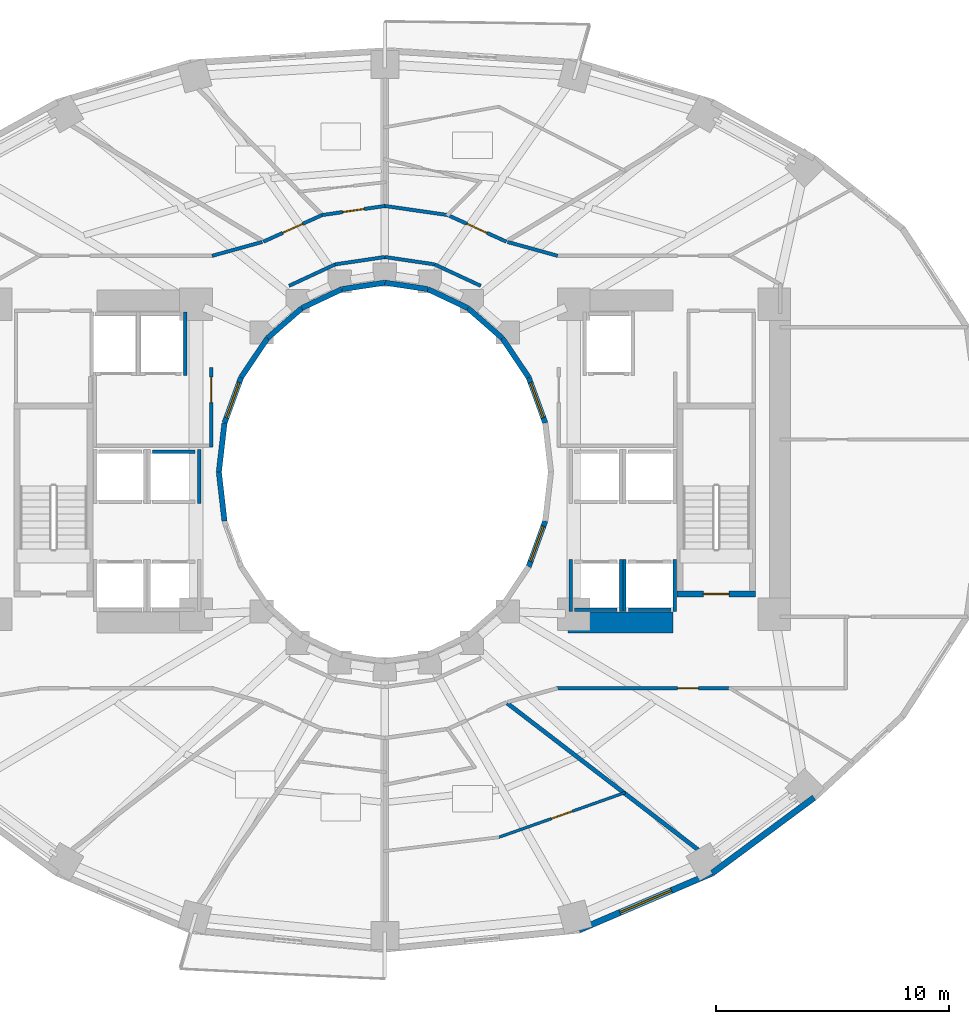
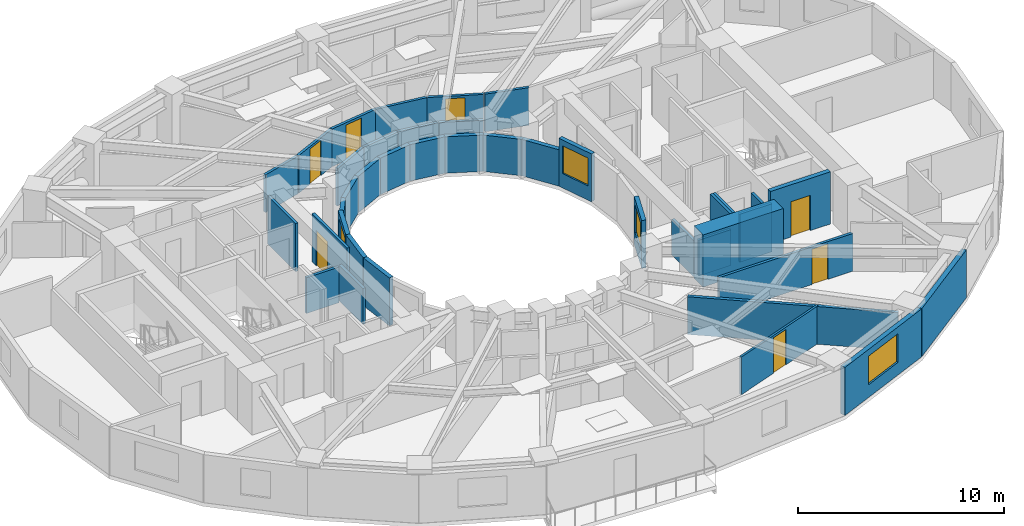
# One storey, part 5 of 10: 40 walls, 7 doors, 4 windows, 11 openings.
"""IFC4 building model written with IfcOpenShell, lengths in metres."""

from ifc_helpers import new_model, si_unit, direction, frame, frame_2d, origin, place, context, subcontext, project, spatial, rectangle, extrude, material, layer, layer_set, type_object, element, fill, save


model = new_model("IFC4")

# Units and contexts
model_context = context("Model", 3, precision=1e-05, world=origin(), true_north=direction((0.0, 1.0)))
body_context = subcontext(model_context, "Body", "Model", "MODEL_VIEW")
ifc_project = project(units=[si_unit("LENGTHUNIT", "METRE"), si_unit("AREAUNIT", "SQUARE_METRE"), si_unit("VOLUMEUNIT", "CUBIC_METRE"), si_unit("PLANEANGLEUNIT", "RADIAN"), si_unit("MASSUNIT", "GRAM", prefix="KILO")], contexts=[model_context])

# Site, building, storey
site_placement = place(None, origin())
site = spatial("IfcSite", under=ifc_project, at=site_placement, CompositionType="ELEMENT")
building_placement = place(site_placement, origin())
building = spatial("IfcBuilding", under=site, at=building_placement, Name="Solvane Sanctuary Tower", CompositionType="ELEMENT")
storey_placement = place(building_placement, frame((0.0, 0.0, 58.60009765625)))
storey = spatial("IfcBuildingStorey", under=building, at=storey_placement, Name="L17", CompositionType="ELEMENT", Elevation=58.60009765625)

# Wall
ifc_material_1 = material(Name="Concrete C70/85", Category="concrete")
ifc_layer_1 = layer(ifc_material_1, 0.89990234375, Name="Concrete C70/85")
ifc_layer_set_1 = layer_set([ifc_layer_1], Name="Concrete C70/85")
wall_type_1 = type_object("IfcWallType", Name="Wall W-CORE-900", PredefinedType="SHEAR", material=ifc_layer_set_1)
wall_1_placement = place(storey_placement, frame((39.85009765625, 16.550048828125, 0.0), z_axis=(0.0, 0.0, 1.0), x_axis=(1.0, 0.0, 0.0)))
element("IfcWall", 1, at=wall_1_placement, inside=storey, type_object=wall_type_1, Name="L17 Core Shear Wall EC-S", PredefinedType="SHEAR", context=body_context, shape_type="SweptSolid", body=[
    extrude(rectangle(XDim=4.5, YDim=0.89990234375, at=frame_2d((2.25, 0.0))), origin(), (0.0, 0.0, 1.0), 3.099853515625),
])

# Wall, opening, door
ifc_material_2 = material(Name="Acoustic Gypsum Partition Board")
ifc_layer_2 = layer(ifc_material_2, 0.14990234375, Name="Acoustic Gypsum Partition Board")
ifc_layer_set_2 = layer_set([ifc_layer_2], Name="Acoustic Gypsum Partition Board")
wall_type_2 = type_object("IfcWallType", Name="Wall W-CORR-150", PredefinedType="PARTITIONING", material=ifc_layer_set_2)
wall_2_placement = place(storey_placement, frame((24.550048828125, 24.080078125, 0.0), z_axis=(0.0, 0.0, 1.0), x_axis=(0.0, 1.0, 0.0)))
wall_2 = element("IfcWall", 2, at=wall_2_placement, inside=storey, type_object=wall_type_2, Name="L17 West Firefighting Lobby East Wall", PredefinedType="PARTITIONING", context=body_context, shape_type="SweptSolid", body=[
    extrude(rectangle(XDim=3.39990234375, YDim=0.14990234375, at=frame_2d((1.699951171875, 0.0))), origin(), (0.0, 0.0, 1.0), 2.85498046875),
])
opening_1_placement = place(wall_2_placement, frame((1.893798828125, 0.0, 0.0)))
opening_1 = element("IfcOpeningElement", 3, at=opening_1_placement, cuts=wall_2, Name="Opening D-L17-06", PredefinedType="OPENING", context=body_context, shape_type="SweptSolid", body=[
    extrude(rectangle(XDim=1.10009765625, YDim=2.10009765625, at=frame_2d((0.550048828125, 1.050048828125))), frame((0.0, 0.0849609375, 0.0), z_axis=(0.0, -1.0, 0.0), x_axis=(1.0, 0.0, 0.0)), (0.0, 0.0, 1.0), 0.169921875),
])
ifc_material_3 = material(Name="Architectural Stainless Steel 316", Category="steel")
door_type_1 = type_object("IfcDoorType", Name="Door D-FFL", OperationType="NOTDEFINED", PredefinedType="DOOR", material=ifc_material_3)
door_1_placement = place(opening_1_placement, origin())
door_1 = element("IfcDoor", 4, at=door_1_placement, inside=storey, type_object=door_type_1, Name="L17 West Firefighting Lobby Fire Door", OperationType="SINGLE_SWING_LEFT", OverallHeight=2.10009765625, OverallWidth=1.10009765625, PredefinedType="DOOR", context=body_context, shape_type="SweptSolid", body=[
    extrude(rectangle(XDim=1.10009765625, YDim=2.10009765625, at=frame_2d((0.550048828125, 1.050048828125))), frame((0.0, 0.02490234375, 0.0), z_axis=(0.0, -1.0, 0.0), x_axis=(1.0, 0.0, 0.0)), (0.0, 0.0, 1.0), 0.050048828125),
])
fill(opening_1, door_1)

# Walls
wall_3_placement = place(storey_placement, frame((36.110107421875, 30.98486328125, 0.0), z_axis=(0.0, 0.0, 1.0), x_axis=(-0.906943449489, 0.421252393975, 0.0)))
element("IfcWall", 5, at=wall_3_placement, inside=storey, type_object=wall_type_2, Name="L17 Light-Well Corridor Rim Wall N1", PredefinedType="PARTITIONING", context=body_context, shape_type="SweptSolid", body=[
    extrude(rectangle(XDim=2.18603515625, YDim=0.14990234375, at=frame_2d((1.093017578125, 0.0))), origin(), (0.0, 0.0, 1.0), 2.23681640625),
])
for number, where, z_axis, x_axis, name in (
    (6, (34.12744140625, 31.90576171875, 0.0), (0.0, 0.0, 1.0), (-0.989268584896, 0.146108408166, 0.0), "L17 Light-Well Corridor Rim Wall N2"),
    (7, (32.0, 32.219970703125, 0.0), (0.0, 0.0, 1.0), (-0.989268584896, -0.146108408166, 0.0), "L17 Light-Well Corridor Rim Wall N3"),
):
    element("IfcWall", number, at=place(storey_placement, frame(where, z_axis=z_axis, x_axis=x_axis)), inside=storey, type_object=wall_type_2, Name=name, PredefinedType="PARTITIONING", context=body_context, shape_type="SweptSolid", body=[
        extrude(rectangle(XDim=2.150634765625, YDim=0.14990234375, at=frame_2d((1.0751953125, 0.0))), origin(), (0.0, 0.0, 1.0), 2.23681640625),
    ])
wall_4_placement = place(storey_placement, frame((29.87255859375, 31.90576171875, 0.0), z_axis=(0.0, 0.0, 1.0), x_axis=(-0.906943449489, -0.421252393975, 0.0)))
element("IfcWall", 8, at=wall_4_placement, inside=storey, type_object=wall_type_2, Name="L17 Light-Well Corridor Rim Wall N4", PredefinedType="PARTITIONING", context=body_context, shape_type="SweptSolid", body=[
    extrude(rectangle(XDim=2.18603515625, YDim=0.14990234375, at=frame_2d((1.093017578125, 0.0))), origin(), (0.0, 0.0, 1.0), 2.23681640625),
])
for number, where, z_axis, x_axis, name in (
    (9, (37.258056640625, 32.86669921875, 0.0), (0.0, 0.0, 1.0), (0.963833843713, -0.266503886865, 0.0), "L17 NE Corner Throat Wall"),
    (10, (26.741943359375, 32.86669921875, 0.0), (0.0, 0.0, 1.0), (-0.963833843713, -0.266503886865, 0.0), "L17 NW Corner Throat Wall"),
):
    element("IfcWall", number, at=place(storey_placement, frame(where, z_axis=z_axis, x_axis=x_axis)), inside=storey, type_object=wall_type_2, Name=name, PredefinedType="PARTITIONING", context=body_context, shape_type="SweptSolid", body=[
        extrude(rectangle(XDim=2.231689453125, YDim=0.14990234375, at=frame_2d((1.11572265625, 0.0))), origin(), (0.0, 0.0, 1.0), 2.23681640625),
    ])

# Wall, opening, door
wall_5_placement = place(storey_placement, frame((39.330078125, 13.719970703125, 0.0), z_axis=(0.0, 0.0, 1.0), x_axis=(1.0, 0.0, 0.0)))
wall_5 = element("IfcWall", 11, at=wall_5_placement, inside=storey, type_object=wall_type_2, Name="L17 SE Corner Corridor Wall", PredefinedType="PARTITIONING", context=body_context, shape_type="SweptSolid", body=[
    extrude(rectangle(XDim=7.52001953125, YDim=0.14990234375, at=frame_2d((3.760009765625, 0.0))), origin(), (0.0, 0.0, 1.0), 2.23681640625),
])
opening_2_placement = place(wall_5_placement, frame((5.219970703125, 0.0, 0.0)))
opening_2 = element("IfcOpeningElement", 12, at=opening_2_placement, cuts=wall_5, Name="Opening D-L17-19", PredefinedType="OPENING", context=body_context, shape_type="SweptSolid", body=[
    extrude(rectangle(XDim=0.89990234375, YDim=2.10009765625, at=frame_2d((0.449951171875, 1.050048828125))), frame((0.0, 0.0849609375, 0.0), z_axis=(0.0, -1.0, 0.0), x_axis=(1.0, 0.0, 0.0)), (0.0, 0.0, 1.0), 0.169921875),
])
ifc_material_4 = material(Name="Engineered Tropical Hardwood", Category="wood")
door_type_2 = type_object("IfcDoorType", Name="Door D-WET-900", OperationType="NOTDEFINED", PredefinedType="DOOR", material=ifc_material_4)
door_2_placement = place(opening_2_placement, origin())
door_2 = element("IfcDoor", 13, at=door_2_placement, inside=storey, type_object=door_type_2, Name="L17 SE Corner Salon Door", OperationType="SINGLE_SWING_RIGHT", OverallHeight=2.10009765625, OverallWidth=0.89990234375, PredefinedType="DOOR", context=body_context, shape_type="SweptSolid", body=[
    extrude(rectangle(XDim=0.89990234375, YDim=2.10009765625, at=frame_2d((0.449951171875, 1.050048828125))), frame((0.0, 0.02490234375, 0.0), z_axis=(0.0, -1.0, 0.0), x_axis=(1.0, 0.0, 0.0)), (0.0, 0.0, 1.0), 0.050048828125),
])
fill(opening_2, door_2)

# Wall
wall_6_placement = place(storey_placement, frame((34.743896484375, 34.01416015625, 0.0), z_axis=(0.0, 0.0, 1.0), x_axis=(-0.989761784218, 0.142729150844, 0.0)))
element("IfcWall", 14, at=wall_6_placement, inside=storey, type_object=wall_type_2, Name="L17 En-suite Inner Wall N1", PredefinedType="PARTITIONING", context=body_context, shape_type="SweptSolid", body=[
    extrude(rectangle(XDim=2.822265625, YDim=0.14990234375, at=frame_2d((1.4111328125, 0.0))), origin(), (0.0, 0.0, 1.0), 2.23681640625),
])

# Wall, opening, door
wall_7_placement = place(storey_placement, frame((37.211181640625, 32.87744140625, 0.0), z_axis=(0.0, 0.0, 1.0), x_axis=(-0.910568469686, 0.41335827319, 0.0)))
wall_7 = element("IfcWall", 15, at=wall_7_placement, inside=storey, type_object=wall_type_2, Name="L17 Unit Corridor Wall N1", PredefinedType="PARTITIONING", context=body_context, shape_type="SweptSolid", body=[
    extrude(rectangle(XDim=2.771728515625, YDim=0.14990234375, at=frame_2d((1.3857421875, 0.0))), origin(), (0.0, 0.0, 1.0), 2.23681640625),
])
opening_3_placement = place(wall_7_placement, frame((0.910888671875, 0.0, 0.0)))
opening_3 = element("IfcOpeningElement", 16, at=opening_3_placement, cuts=wall_7, Name="Opening D-L17-22", PredefinedType="OPENING", context=body_context, shape_type="SweptSolid", body=[
    extrude(rectangle(XDim=0.949951171875, YDim=2.10009765625, at=frame_2d((0.47509765625, 1.050048828125))), frame((0.0, 0.0849609375, 0.0), z_axis=(0.0, -1.0, 0.0), x_axis=(1.0, 0.0, 0.0)), (0.0, 0.0, 1.0), 0.169921875),
])
door_type_3 = type_object("IfcDoorType", Name="Door D-ROOM-950", OperationType="NOTDEFINED", PredefinedType="DOOR", material=ifc_material_4)
door_3_placement = place(opening_3_placement, origin())
door_3 = element("IfcDoor", 17, at=door_3_placement, inside=storey, type_object=door_type_3, Name="L17 Unit Entrance Door N1", OperationType="SINGLE_SWING_LEFT", OverallHeight=2.10009765625, OverallWidth=0.949951171875, PredefinedType="DOOR", context=body_context, shape_type="SweptSolid", body=[
    extrude(rectangle(XDim=0.949951171875, YDim=2.10009765625, at=frame_2d((0.47509765625, 1.050048828125))), frame((0.0, 0.02490234375, 0.0), z_axis=(0.0, -1.0, 0.0), x_axis=(1.0, 0.0, 0.0)), (0.0, 0.0, 1.0), 0.050048828125),
])
fill(opening_3, door_3)

wall_8_placement = place(storey_placement, frame((32.00732421875, 34.409912109375, 0.0), z_axis=(0.0, 0.0, 1.0), x_axis=(-0.989748682384, -0.142819976611, 0.0)))
wall_8 = element("IfcWall", 18, at=wall_8_placement, inside=storey, type_object=wall_type_2, Name="L17 Unit Corridor Wall N2", PredefinedType="PARTITIONING", context=body_context, shape_type="SweptSolid", body=[
    extrude(rectangle(XDim=2.73681640625, YDim=0.14990234375, at=frame_2d((1.368408203125, 0.0))), origin(), (0.0, 0.0, 1.0), 2.23681640625),
])
opening_4_placement = place(wall_8_placement, frame((0.893310546875, 0.0, 0.0)))
opening_4 = element("IfcOpeningElement", 19, at=opening_4_placement, cuts=wall_8, Name="Opening D-L17-24", PredefinedType="OPENING", context=body_context, shape_type="SweptSolid", body=[
    extrude(rectangle(XDim=0.949951171875, YDim=2.10009765625, at=frame_2d((0.47509765625, 1.050048828125))), frame((0.0, 0.0849609375, 0.0), z_axis=(0.0, -1.0, 0.0), x_axis=(1.0, 0.0, 0.0)), (0.0, 0.0, 1.0), 0.169921875),
])
door_4_placement = place(opening_4_placement, origin())
door_4 = element("IfcDoor", 20, at=door_4_placement, inside=storey, type_object=door_type_3, Name="L17 Unit Entrance Door N2", OperationType="SINGLE_SWING_LEFT", OverallHeight=2.10009765625, OverallWidth=0.949951171875, PredefinedType="DOOR", context=body_context, shape_type="SweptSolid", body=[
    extrude(rectangle(XDim=0.949951171875, YDim=2.10009765625, at=frame_2d((0.47509765625, 1.050048828125))), frame((0.0, 0.02490234375, 0.0), z_axis=(0.0, -1.0, 0.0), x_axis=(1.0, 0.0, 0.0)), (0.0, 0.0, 1.0), 0.050048828125),
])
fill(opening_4, door_4)

wall_9_placement = place(storey_placement, frame((29.312744140625, 34.023193359375, 0.0), z_axis=(0.0, 0.0, 1.0), x_axis=(-0.910568469686, -0.41335827319, 0.0)))
wall_9 = element("IfcWall", 21, at=wall_9_placement, inside=storey, type_object=wall_type_2, Name="L17 Unit Corridor Wall N3", PredefinedType="PARTITIONING", context=body_context, shape_type="SweptSolid", body=[
    extrude(rectangle(XDim=2.771728515625, YDim=0.14990234375, at=frame_2d((1.3857421875, 0.0))), origin(), (0.0, 0.0, 1.0), 2.23681640625),
])
opening_5_placement = place(wall_9_placement, frame((0.910888671875, 0.0, 0.0)))
opening_5 = element("IfcOpeningElement", 22, at=opening_5_placement, cuts=wall_9, Name="Opening D-L17-25", PredefinedType="OPENING", context=body_context, shape_type="SweptSolid", body=[
    extrude(rectangle(XDim=0.949951171875, YDim=2.10009765625, at=frame_2d((0.47509765625, 1.050048828125))), frame((0.0, 0.0849609375, 0.0), z_axis=(0.0, -1.0, 0.0), x_axis=(1.0, 0.0, 0.0)), (0.0, 0.0, 1.0), 0.169921875),
])
door_5_placement = place(opening_5_placement, origin())
door_5 = element("IfcDoor", 23, at=door_5_placement, inside=storey, type_object=door_type_3, Name="L17 Unit Entrance Door N3", OperationType="SINGLE_SWING_RIGHT", OverallHeight=2.10009765625, OverallWidth=0.949951171875, PredefinedType="DOOR", context=body_context, shape_type="SweptSolid", body=[
    extrude(rectangle(XDim=0.949951171875, YDim=2.10009765625, at=frame_2d((0.47509765625, 1.050048828125))), frame((0.0, 0.02490234375, 0.0), z_axis=(0.0, -1.0, 0.0), x_axis=(1.0, 0.0, 0.0)), (0.0, 0.0, 1.0), 0.050048828125),
])
fill(opening_5, door_5)

# Wall, opening, window
ifc_material_5 = material(Name="Precast concrete C40/50", Category="concrete")
ifc_layer_3 = layer(ifc_material_5, 0.260009765625, Name="Precast concrete C40/50")
ifc_layer_set_3 = layer_set([ifc_layer_3], Name="Precast concrete C40/50")
wall_type_3 = type_object("IfcWallType", Name="Wall W-EXT-250", PredefinedType="STANDARD", material=ifc_layer_set_3)
wall_10_placement = place(storey_placement, frame((40.331787109375, 3.36376953125, 0.0), z_axis=(0.0, 0.0, 1.0), x_axis=(0.919612132394, 0.39282760335, 0.0)))
wall_10 = element("IfcWall", 24, at=wall_10_placement, inside=storey, type_object=wall_type_3, Name="L17 Ceramic-Printed Facade Wall 19", PredefinedType="STANDARD", context=body_context, shape_type="SweptSolid", body=[
    extrude(rectangle(XDim=6.20947265625, YDim=0.260009765625, at=frame_2d((3.104736328125, 0.0))), origin(), (0.0, 0.0, 1.0), 2.849853515625),
])
opening_6_placement = place(wall_10_placement, frame((1.90478515625, 0.0, 0.75)))
opening_6 = element("IfcOpeningElement", 25, at=opening_6_placement, cuts=wall_10, Name="Opening WN-RIB-2400", PredefinedType="OPENING", context=body_context, shape_type="SweptSolid", body=[
    extrude(rectangle(XDim=2.39990234375, YDim=1.699951171875, at=frame_2d((1.199951171875, 0.85009765625))), frame((0.0, 0.139892578125, 0.0), z_axis=(0.0, -1.0, 0.0), x_axis=(1.0, 0.0, 0.0)), (0.0, 0.0, 1.0), 0.280029296875),
])
ifc_material_6 = material(Name="Dark Ceramic-Fritted Low-E Glass", Category="glass")
window_type_1 = type_object("IfcWindowType", Name="Window WN-RIB-2400", PartitioningType="SINGLE_PANEL", PredefinedType="WINDOW", material=ifc_material_6)
window_1_placement = place(opening_6_placement, origin())
window_1 = element("IfcWindow", 26, at=window_1_placement, inside=storey, type_object=window_type_1, Name="L17 Operable Facade Window 19", OverallHeight=1.699951171875, OverallWidth=2.39990234375, PartitioningType="SINGLE_PANEL", PredefinedType="WINDOW", context=body_context, shape_type="SweptSolid", body=[
    extrude(rectangle(XDim=2.39990234375, YDim=1.699951171875, at=frame_2d((1.199951171875, 0.85009765625))), frame((0.0, 0.030029296875, 0.0), z_axis=(0.0, -1.0, 0.0), x_axis=(1.0, 0.0, 0.0)), (0.0, 0.0, 1.0), 0.06005859375),
])
fill(opening_6, window_1)

# Wall
wall_11_placement = place(storey_placement, frame((46.0419921875, 5.802978515625, 0.0), z_axis=(0.0, 0.0, 1.0), x_axis=(0.803477531792, 0.595335078679, 0.0)))
element("IfcWall", 27, at=wall_11_placement, inside=storey, type_object=wall_type_3, Name="L17 Ceramic-Printed Facade Wall 20", PredefinedType="STANDARD", context=body_context, shape_type="SweptSolid", body=[
    extrude(rectangle(XDim=5.4296875, YDim=0.260009765625, at=frame_2d((2.71484375, 0.0))), origin(), (0.0, 0.0, 1.0), 2.849853515625),
])

# Wall, opening, window
ifc_layer_4 = layer(ifc_material_5, 0.22998046875, Name="Precast concrete C40/50")
ifc_layer_set_4 = layer_set([ifc_layer_4], Name="Precast concrete C40/50")
wall_type_4 = type_object("IfcWallType", Name="Wall W-EXT-SP220", PredefinedType="STANDARD", material=ifc_layer_set_4)
wall_12_placement = place(storey_placement, frame((38.87744140625, 25.1015625, 0.0), z_axis=(0.0, 0.0, 1.0), x_axis=(-0.341423187295, 0.93990968033, 0.0)))
wall_12 = element("IfcWall", 28, at=wall_12_placement, inside=storey, type_object=wall_type_4, Name="L17 Central Light-Well Wall 01", PredefinedType="STANDARD", context=body_context, shape_type="SweptSolid", body=[
    extrude(rectangle(XDim=2.083740234375, YDim=0.22998046875, at=frame_2d((1.0419921875, 0.0))), origin(), (0.0, 0.0, 1.0), 2.83984375),
])
opening_7_placement = place(wall_12_placement, frame((0.24169921875, 0.0, 0.85009765625)))
opening_7 = element("IfcOpeningElement", 29, at=opening_7_placement, cuts=wall_12, Name="Opening WN-WELL-1600", PredefinedType="OPENING", context=body_context, shape_type="SweptSolid", body=[
    extrude(rectangle(XDim=1.60009765625, YDim=1.64990234375, at=frame_2d((0.800048828125, 0.824951171875))), frame((0.0, 0.125, 0.0), z_axis=(0.0, -1.0, 0.0), x_axis=(1.0, 0.0, 0.0)), (0.0, 0.0, 1.0), 0.25),
])
ifc_material_7 = material(Name="Clear Laminated Light-Well Glass", Category="glass")
window_type_2 = type_object("IfcWindowType", Name="Window WN-WELL-1600", PartitioningType="SINGLE_PANEL", PredefinedType="WINDOW", material=ifc_material_7)
window_2_placement = place(opening_7_placement, origin())
window_2 = element("IfcWindow", 30, at=window_2_placement, inside=storey, type_object=window_type_2, Name="L17 Light-Well Daylight Window 01", OverallHeight=1.64990234375, OverallWidth=1.60009765625, PartitioningType="SINGLE_PANEL", PredefinedType="WINDOW", context=body_context, shape_type="SweptSolid", body=[
    extrude(rectangle(XDim=1.60009765625, YDim=1.64990234375, at=frame_2d((0.800048828125, 0.824951171875))), frame((0.0, 0.030029296875, 0.0), z_axis=(0.0, -1.0, 0.0), x_axis=(1.0, 0.0, 0.0)), (0.0, 0.0, 1.0), 0.06005859375),
])
fill(opening_7, window_2)

# Walls
wall_13_placement = place(storey_placement, frame((38.166015625, 27.06005859375, 0.0), z_axis=(0.0, 0.0, 1.0), x_axis=(-0.558197800898, 0.829707909492, 0.0)))
element("IfcWall", 31, at=wall_13_placement, inside=storey, type_object=wall_type_4, Name="L17 Central Light-Well Wall 02", PredefinedType="STANDARD", context=body_context, shape_type="SweptSolid", body=[
    extrude(rectangle(XDim=2.02685546875, YDim=0.22998046875, at=frame_2d((1.013427734375, 0.0))), origin(), (0.0, 0.0, 1.0), 2.159912109375),
])
wall_14_placement = place(storey_placement, frame((37.03466796875, 28.74169921875, 0.0), z_axis=(0.0, 0.0, 1.0), x_axis=(-0.752576694707, 0.658504607869, 0.0)))
element("IfcWall", 32, at=wall_14_placement, inside=storey, type_object=wall_type_4, Name="L17 Central Light-Well Wall 03", PredefinedType="STANDARD", context=body_context, shape_type="SweptSolid", body=[
    extrude(rectangle(XDim=1.95947265625, YDim=0.22998046875, at=frame_2d((0.979736328125, 0.0))), origin(), (0.0, 0.0, 1.0), 2.159912109375),
])
wall_15_placement = place(storey_placement, frame((35.56005859375, 30.031982421875, 0.0), z_axis=(0.0, 0.0, 1.0), x_axis=(-0.904179699603, 0.427152280606, 0.0)))
element("IfcWall", 33, at=wall_15_placement, inside=storey, type_object=wall_type_4, Name="L17 Central Light-Well Wall 04", PredefinedType="STANDARD", context=body_context, shape_type="SweptSolid", body=[
    extrude(rectangle(XDim=1.899169921875, YDim=0.22998046875, at=frame_2d((0.94970703125, 0.0))), origin(), (0.0, 0.0, 1.0), 2.159912109375),
])
for number, where, z_axis, x_axis, name in (
    (34, (33.8427734375, 30.84326171875, 0.0), (0.0, 0.0, 1.0), (-0.988901730308, 0.148571086668, 0.0), "L17 Central Light-Well Wall 05"),
    (35, (32.0, 31.1201171875, 0.0), (0.0, 0.0, 1.0), (-0.988901730308, -0.148571086668, 0.0), "L17 Central Light-Well Wall 06"),
):
    element("IfcWall", number, at=place(storey_placement, frame(where, z_axis=z_axis, x_axis=x_axis)), inside=storey, type_object=wall_type_4, Name=name, PredefinedType="STANDARD", context=body_context, shape_type="SweptSolid", body=[
        extrude(rectangle(XDim=1.863525390625, YDim=0.22998046875, at=frame_2d((0.931640625, 0.0))), origin(), (0.0, 0.0, 1.0), 2.159912109375),
    ])
wall_16_placement = place(storey_placement, frame((30.1572265625, 30.84326171875, 0.0), z_axis=(0.0, 0.0, 1.0), x_axis=(-0.904179699603, -0.427152280606, 0.0)))
element("IfcWall", 36, at=wall_16_placement, inside=storey, type_object=wall_type_4, Name="L17 Central Light-Well Wall 07", PredefinedType="STANDARD", context=body_context, shape_type="SweptSolid", body=[
    extrude(rectangle(XDim=1.899169921875, YDim=0.22998046875, at=frame_2d((0.94970703125, 0.0))), origin(), (0.0, 0.0, 1.0), 2.159912109375),
])
wall_17_placement = place(storey_placement, frame((28.43994140625, 30.031982421875, 0.0), z_axis=(0.0, 0.0, 1.0), x_axis=(-0.752576694707, -0.658504607869, 0.0)))
element("IfcWall", 37, at=wall_17_placement, inside=storey, type_object=wall_type_4, Name="L17 Central Light-Well Wall 08", PredefinedType="STANDARD", context=body_context, shape_type="SweptSolid", body=[
    extrude(rectangle(XDim=1.95947265625, YDim=0.22998046875, at=frame_2d((0.979736328125, 0.0))), origin(), (0.0, 0.0, 1.0), 2.159912109375),
])
wall_18_placement = place(storey_placement, frame((26.96533203125, 28.74169921875, 0.0), z_axis=(0.0, 0.0, 1.0), x_axis=(-0.558197800898, -0.829707909492, 0.0)))
element("IfcWall", 38, at=wall_18_placement, inside=storey, type_object=wall_type_4, Name="L17 Central Light-Well Wall 09", PredefinedType="STANDARD", context=body_context, shape_type="SweptSolid", body=[
    extrude(rectangle(XDim=2.02685546875, YDim=0.22998046875, at=frame_2d((1.013427734375, 0.0))), origin(), (0.0, 0.0, 1.0), 2.159912109375),
])

# Wall, opening, window
wall_19_placement = place(storey_placement, frame((25.833984375, 27.06005859375, 0.0), z_axis=(0.0, 0.0, 1.0), x_axis=(-0.341423187295, -0.93990968033, 0.0)))
wall_19 = element("IfcWall", 39, at=wall_19_placement, inside=storey, type_object=wall_type_4, Name="L17 Central Light-Well Wall 10", PredefinedType="STANDARD", context=body_context, shape_type="SweptSolid", body=[
    extrude(rectangle(XDim=2.083740234375, YDim=0.22998046875, at=frame_2d((1.0419921875, 0.0))), origin(), (0.0, 0.0, 1.0), 2.83984375),
])
opening_8_placement = place(wall_19_placement, frame((0.24169921875, 0.0, 0.85009765625)))
opening_8 = element("IfcOpeningElement", 40, at=opening_8_placement, cuts=wall_19, Name="Opening WN-WELL-1600", PredefinedType="OPENING", context=body_context, shape_type="SweptSolid", body=[
    extrude(rectangle(XDim=1.60009765625, YDim=1.64990234375, at=frame_2d((0.800048828125, 0.824951171875))), frame((0.0, 0.125, 0.0), z_axis=(0.0, -1.0, 0.0), x_axis=(1.0, 0.0, 0.0)), (0.0, 0.0, 1.0), 0.25),
])
window_3_placement = place(opening_8_placement, origin())
window_3 = element("IfcWindow", 41, at=window_3_placement, inside=storey, type_object=window_type_2, Name="L17 Light-Well Daylight Window 10", OverallHeight=1.64990234375, OverallWidth=1.60009765625, PartitioningType="SINGLE_PANEL", PredefinedType="WINDOW", context=body_context, shape_type="SweptSolid", body=[
    extrude(rectangle(XDim=1.60009765625, YDim=1.64990234375, at=frame_2d((0.800048828125, 0.824951171875))), frame((0.0, 0.030029296875, 0.0), z_axis=(0.0, -1.0, 0.0), x_axis=(1.0, 0.0, 0.0)), (0.0, 0.0, 1.0), 0.06005859375),
])
fill(opening_8, window_3)

# Walls
for number, where, z_axis, x_axis, name in (
    (42, (25.12255859375, 25.1015625, 0.0), (0.0, 0.0, 1.0), (-0.114711713601, -0.993398823617, 0.0), "L17 Central Light-Well Wall 11"),
    (43, (24.8798828125, 23.0, 0.0), (0.0, 0.0, 1.0), (0.114711713601, -0.993398823617, 0.0), "L17 Central Light-Well Wall 12"),
):
    element("IfcWall", number, at=place(storey_placement, frame(where, z_axis=z_axis, x_axis=x_axis)), inside=storey, type_object=wall_type_4, Name=name, PredefinedType="STANDARD", context=body_context, shape_type="SweptSolid", body=[
        extrude(rectangle(XDim=2.115478515625, YDim=0.22998046875, at=frame_2d((1.0576171875, 0.0))), origin(), (0.0, 0.0, 1.0), 2.83984375),
    ])

# Wall, opening, window
wall_20_placement = place(storey_placement, frame((38.166015625, 18.93994140625, 0.0), z_axis=(0.0, 0.0, 1.0), x_axis=(0.341423187295, 0.93990968033, 0.0)))
wall_20 = element("IfcWall", 44, at=wall_20_placement, inside=storey, type_object=wall_type_4, Name="L17 Central Light-Well Wall 22", PredefinedType="STANDARD", context=body_context, shape_type="SweptSolid", body=[
    extrude(rectangle(XDim=2.083740234375, YDim=0.22998046875, at=frame_2d((1.0419921875, 0.0))), origin(), (0.0, 0.0, 1.0), 2.83984375),
])
opening_9_placement = place(wall_20_placement, frame((0.24169921875, 0.0, 0.85009765625)))
opening_9 = element("IfcOpeningElement", 45, at=opening_9_placement, cuts=wall_20, Name="Opening WN-WELL-1600", PredefinedType="OPENING", context=body_context, shape_type="SweptSolid", body=[
    extrude(rectangle(XDim=1.60009765625, YDim=1.64990234375, at=frame_2d((0.800048828125, 0.824951171875))), frame((0.0, 0.125, 0.0), z_axis=(0.0, -1.0, 0.0), x_axis=(1.0, 0.0, 0.0)), (0.0, 0.0, 1.0), 0.25),
])
window_4_placement = place(opening_9_placement, origin())
window_4 = element("IfcWindow", 46, at=window_4_placement, inside=storey, type_object=window_type_2, Name="L17 Light-Well Daylight Window 22", OverallHeight=1.64990234375, OverallWidth=1.60009765625, PartitioningType="SINGLE_PANEL", PredefinedType="WINDOW", context=body_context, shape_type="SweptSolid", body=[
    extrude(rectangle(XDim=1.60009765625, YDim=1.64990234375, at=frame_2d((0.800048828125, 0.824951171875))), frame((0.0, 0.030029296875, 0.0), z_axis=(0.0, -1.0, 0.0), x_axis=(1.0, 0.0, 0.0)), (0.0, 0.0, 1.0), 0.06005859375),
])
fill(opening_9, window_4)

# Wall, opening, door
ifc_layer_5 = layer(ifc_material_2, 0.1201171875, Name="Acoustic Gypsum Partition Board")
ifc_layer_set_5 = layer_set([ifc_layer_5], Name="Acoustic Gypsum Partition Board")
wall_type_5 = type_object("IfcWallType", Name="Wall W-MOV-100", PredefinedType="MOVABLE", material=ifc_layer_set_5)
wall_21_placement = place(storey_placement, frame((36.87353515625, 7.331298828125, 0.0), z_axis=(0.0, 0.0, 1.0), x_axis=(0.942698294357, 0.333646408368, 0.0)))
wall_21 = element("IfcWall", 47, at=wall_21_placement, inside=storey, type_object=wall_type_5, Name="L17 Suite Sitting Lounge Partition S3", PredefinedType="MOVABLE", context=body_context, shape_type="SweptSolid", body=[
    extrude(rectangle(XDim=5.763916015625, YDim=0.1201171875, at=frame_2d((2.8818359375, 0.0))), origin(), (0.0, 0.0, 1.0), 2.23681640625),
])
opening_10_placement = place(wall_21_placement, frame((2.406982421875, 0.0, 0.0)))
opening_10 = element("IfcOpeningElement", 48, at=opening_10_placement, cuts=wall_21, Name="Opening D-L17-29", PredefinedType="OPENING", context=body_context, shape_type="SweptSolid", body=[
    extrude(rectangle(XDim=0.949951171875, YDim=2.10009765625, at=frame_2d((0.47509765625, 1.050048828125))), frame((0.0, 0.070068359375, 0.0), z_axis=(0.0, -1.0, 0.0), x_axis=(1.0, 0.0, 0.0)), (0.0, 0.0, 1.0), 0.14013671875),
])
door_6_placement = place(opening_10_placement, origin())
door_6 = element("IfcDoor", 49, at=door_6_placement, inside=storey, type_object=door_type_3, Name="L17 Suite Sitting Lounge Door S3", OperationType="SINGLE_SWING_RIGHT", OverallHeight=2.10009765625, OverallWidth=0.949951171875, PredefinedType="DOOR", context=body_context, shape_type="SweptSolid", body=[
    extrude(rectangle(XDim=0.949951171875, YDim=2.10009765625, at=frame_2d((0.47509765625, 1.050048828125))), frame((0.0, 0.02490234375, 0.0), z_axis=(0.0, -1.0, 0.0), x_axis=(1.0, 0.0, 0.0)), (0.0, 0.0, 1.0), 0.050048828125),
])
fill(opening_10, door_6)

# Walls
ifc_material_8 = material(Name="Concrete C50/60", Category="concrete")
ifc_layer_6 = layer(ifc_material_8, 0.14990234375, Name="Concrete C50/60")
ifc_layer_set_6 = layer_set([ifc_layer_6], Name="Concrete C50/60")
wall_type_6 = type_object("IfcWallType", Name="Wall W-SHAFT-150", PredefinedType="SOLIDWALL", material=ifc_layer_set_6)
wall_22_placement = place(storey_placement, frame((40.139892578125, 17.10009765625, 0.0), z_axis=(0.0, 0.0, 1.0), x_axis=(1.0, 0.0, 0.0)))
element("IfcWall", 50, at=wall_22_placement, inside=storey, type_object=wall_type_6, Name="L17 PL-3 Lift Shaft Wall B", PredefinedType="SOLIDWALL", context=body_context, shape_type="SweptSolid", body=[
    extrude(rectangle(XDim=1.820068359375, YDim=0.14990234375, at=frame_2d((0.91015625, 0.0))), origin(), (0.0, 0.0, 1.0), 2.119873046875),
])
wall_23_placement = place(storey_placement, frame((39.969970703125, 17.02001953125, 0.0), z_axis=(0.0, 0.0, 1.0), x_axis=(0.0, 1.0, 0.0)))
element("IfcWall", 51, at=wall_23_placement, inside=storey, type_object=wall_type_6, Name="L17 PL-3 Lift Shaft Wall S1", PredefinedType="SOLIDWALL", context=body_context, shape_type="SweptSolid", body=[
    extrude(rectangle(XDim=2.219970703125, YDim=0.14990234375, at=frame_2d((1.10986328125, 0.0))), origin(), (0.0, 0.0, 1.0), 2.119873046875),
])
wall_24_placement = place(storey_placement, frame((42.1298828125, 17.02001953125, 0.0), z_axis=(0.0, 0.0, 1.0), x_axis=(0.0, 1.0, 0.0)))
element("IfcWall", 52, at=wall_24_placement, inside=storey, type_object=wall_type_6, Name="L17 PL-3 Lift Shaft Wall S2", PredefinedType="SOLIDWALL", context=body_context, shape_type="SweptSolid", body=[
    extrude(rectangle(XDim=2.219970703125, YDim=0.14990234375, at=frame_2d((1.10986328125, 0.0))), origin(), (0.0, 0.0, 1.0), 2.85498046875),
])
wall_25_placement = place(storey_placement, frame((42.43994140625, 17.10009765625, 0.0), z_axis=(0.0, 0.0, 1.0), x_axis=(1.0, 0.0, 0.0)))
element("IfcWall", 53, at=wall_25_placement, inside=storey, type_object=wall_type_6, Name="L17 PL-4 Lift Shaft Wall B", PredefinedType="SOLIDWALL", context=body_context, shape_type="SweptSolid", body=[
    extrude(rectangle(XDim=1.820068359375, YDim=0.14990234375, at=frame_2d((0.91015625, 0.0))), origin(), (0.0, 0.0, 1.0), 2.85498046875),
])
wall_26_placement = place(storey_placement, frame((42.27001953125, 17.02001953125, 0.0), z_axis=(0.0, 0.0, 1.0), x_axis=(0.0, 1.0, 0.0)))
element("IfcWall", 54, at=wall_26_placement, inside=storey, type_object=wall_type_6, Name="L17 PL-4 Lift Shaft Wall S1", PredefinedType="SOLIDWALL", context=body_context, shape_type="SweptSolid", body=[
    extrude(rectangle(XDim=2.219970703125, YDim=0.14990234375, at=frame_2d((1.10986328125, 0.0))), origin(), (0.0, 0.0, 1.0), 2.85498046875),
])
wall_27_placement = place(storey_placement, frame((44.429931640625, 17.02001953125, 0.0), z_axis=(0.0, 0.0, 1.0), x_axis=(0.0, 1.0, 0.0)))
element("IfcWall", 55, at=wall_27_placement, inside=storey, type_object=wall_type_6, Name="L17 PL-4 Lift Shaft Wall S2", PredefinedType="SOLIDWALL", context=body_context, shape_type="SweptSolid", body=[
    extrude(rectangle(XDim=2.219970703125, YDim=0.14990234375, at=frame_2d((1.10986328125, 0.0))), origin(), (0.0, 0.0, 1.0), 2.119873046875),
])
wall_28_placement = place(storey_placement, frame((22.0400390625, 23.8798828125, 0.0), z_axis=(0.0, 0.0, 1.0), x_axis=(1.0, 0.0, 0.0)))
element("IfcWall", 56, at=wall_28_placement, inside=storey, type_object=wall_type_6, Name="L17 PH-1 Lift Shaft Wall B", PredefinedType="SOLIDWALL", context=body_context, shape_type="SweptSolid", body=[
    extrude(rectangle(XDim=1.820068359375, YDim=0.14990234375, at=frame_2d((0.91015625, 0.0))), origin(), (0.0, 0.0, 1.0), 2.119873046875),
])
wall_29_placement = place(storey_placement, frame((24.030029296875, 21.639892578125, 0.0), z_axis=(0.0, 0.0, 1.0), x_axis=(0.0, 1.0, 0.0)))
element("IfcWall", 57, at=wall_29_placement, inside=storey, type_object=wall_type_6, Name="L17 PH-1 Lift Shaft Wall S2", PredefinedType="SOLIDWALL", context=body_context, shape_type="SweptSolid", body=[
    extrude(rectangle(XDim=2.320068359375, YDim=0.14990234375, at=frame_2d((1.16015625, 0.0))), origin(), (0.0, 0.0, 1.0), 2.119873046875),
])
wall_30_placement = place(storey_placement, frame((23.429931640625, 27.139892578125, 0.0), z_axis=(0.0, 0.0, 1.0), x_axis=(0.0, 1.0, 0.0)))
element("IfcWall", 58, at=wall_30_placement, inside=storey, type_object=wall_type_6, Name="L17 SVL-1 Lift Shaft Wall S2", PredefinedType="SOLIDWALL", context=body_context, shape_type="SweptSolid", body=[
    extrude(rectangle(XDim=2.72021484375, YDim=0.14990234375, at=frame_2d((1.360107421875, 0.0))), origin(), (0.0, 0.0, 1.0), 2.85498046875),
])

# Wall, opening, door
ifc_layer_7 = layer(ifc_material_8, 0.25, Name="Concrete C50/60")
ifc_layer_set_7 = layer_set([ifc_layer_7], Name="Concrete C50/60")
wall_type_7 = type_object("IfcWallType", Name="Wall W-SHAFT-250", PredefinedType="SOLIDWALL", material=ifc_layer_set_7)
wall_31_placement = place(storey_placement, frame((44.52490234375, 17.77001953125, 0.0), z_axis=(0.0, 0.0, 1.0), x_axis=(1.0, 0.0, 0.0)))
wall_31 = element("IfcWall", 59, at=wall_31_placement, inside=storey, type_object=wall_type_7, Name="L17 ST-2 Load-Bearing Shaft Wall S", PredefinedType="SOLIDWALL", context=body_context, shape_type="SweptSolid", body=[
    extrude(rectangle(XDim=3.3701171875, YDim=0.25, at=frame_2d((1.68505859375, 0.0))), origin(), (0.0, 0.0, 1.0), 3.099853515625),
])
opening_11_placement = place(wall_31_placement, frame((1.135009765625, 0.0, 0.0)))
opening_11 = element("IfcOpeningElement", 60, at=opening_11_placement, cuts=wall_31, Name="Opening D-L17-04", PredefinedType="OPENING", context=body_context, shape_type="SweptSolid", body=[
    extrude(rectangle(XDim=1.10009765625, YDim=2.10009765625, at=frame_2d((0.550048828125, 1.050048828125))), frame((0.0, 0.135009765625, 0.0), z_axis=(0.0, -1.0, 0.0), x_axis=(1.0, 0.0, 0.0)), (0.0, 0.0, 1.0), 0.27001953125),
])
door_type_4 = type_object("IfcDoorType", Name="Door D-STAIR", OperationType="NOTDEFINED", PredefinedType="DOOR", material=ifc_material_3)
door_7_placement = place(opening_11_placement, origin())
door_7 = element("IfcDoor", 61, at=door_7_placement, inside=storey, type_object=door_type_4, Name="L17 ST-2 Exit Stair Fire Door", OperationType="SINGLE_SWING_RIGHT", OverallHeight=2.10009765625, OverallWidth=1.10009765625, PredefinedType="DOOR", context=body_context, shape_type="SweptSolid", body=[
    extrude(rectangle(XDim=1.10009765625, YDim=2.10009765625, at=frame_2d((0.550048828125, 1.050048828125))), frame((0.0, 0.02490234375, 0.0), z_axis=(0.0, -1.0, 0.0), x_axis=(1.0, 0.0, 0.0)), (0.0, 0.0, 1.0), 0.050048828125),
])
fill(opening_11, door_7)

# Wall
ifc_layer_8 = layer(ifc_material_2, 0.179931640625, Name="Acoustic Gypsum Partition Board")
ifc_layer_set_8 = layer_set([ifc_layer_8], Name="Acoustic Gypsum Partition Board")
wall_type_8 = type_object("IfcWallType", Name="Wall W-UNIT-180", PredefinedType="PARTITIONING", material=ifc_layer_set_8)
wall_32_placement = place(storey_placement, frame((37.24853515625, 13.085205078125, 0.0), z_axis=(0.0, 0.0, 1.0), x_axis=(0.793181014702, -0.608985942298, 0.0)))
element("IfcWall", 62, at=wall_32_placement, inside=storey, type_object=wall_type_8, Name="L17 Radial Compartment Wall 300", PredefinedType="PARTITIONING", context=body_context, shape_type="SweptSolid", body=[
    extrude(rectangle(XDim=10.323974609375, YDim=0.179931640625, at=frame_2d((5.162109375, 0.0))), origin(), (0.0, 0.0, 1.0), 2.23681640625),
])

save(model, "model.ifc")
